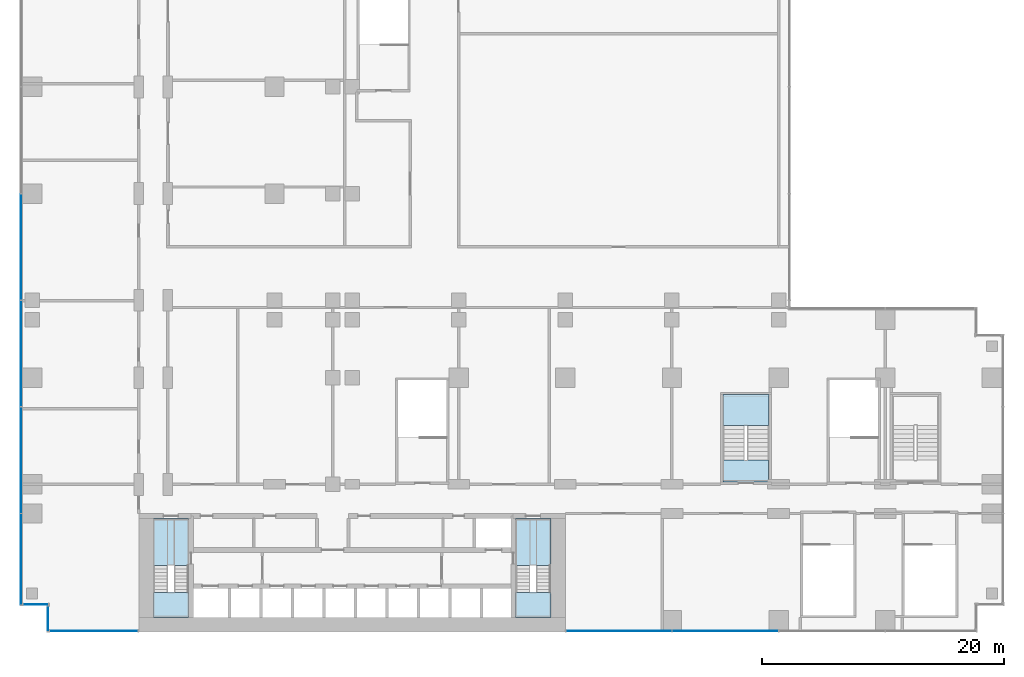
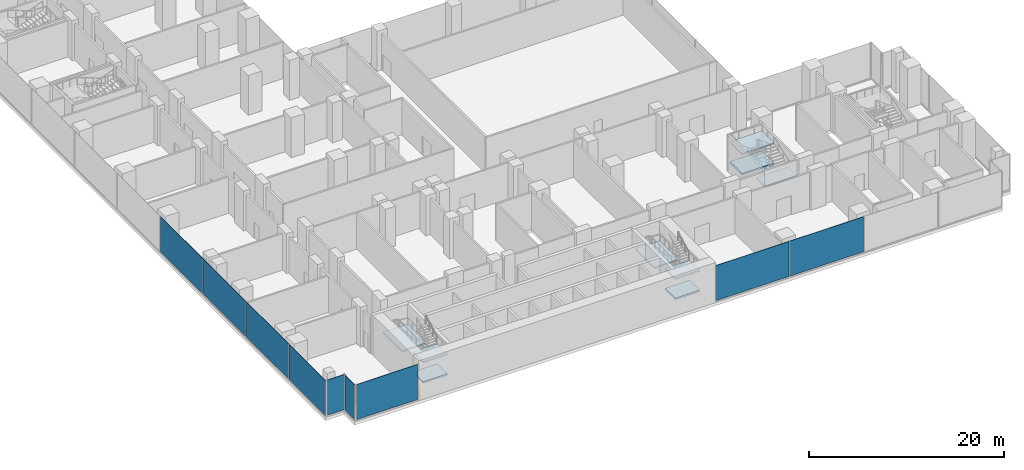
# One storey, part 12 of 27: 9 plates, 9 slabs, 8 elements without a shape of their own.
"""IFC4 building model written with IfcOpenShell, lengths in metres."""

import ifcopenshell
import ifcopenshell.guid

model = None  # the IFC model being written
_history = None  # IfcOwnerHistory: only IFC2X3 demands one
_inside = {}  # id of a spatial element -> (the spatial element, [elements in it])
_under = {}  # id of a project, library or spatial element -> (it, [spatial elements below it])
_declared = {}  # id of a project -> (the project, [libraries it declares])
_typed = {}  # id of a type object -> (the type object, [elements of that type])
_made_of = {}  # id of a material, layer set ... -> (it, [elements and type objects made of it])


def new_model(schema):
    """Start an empty IFC model of exactly this schema.

    Asked for "IFC4X3", IfcOpenShell would pick the latest addendum, in which some entities
    have other attributes; the version numbers below select the first issue.
    IFC2X3 requires an IfcOwnerHistory on every rooted entity: one is made here for all.
    """
    global model, _history
    if schema == "IFC4X3":
        model = ifcopenshell.file(schema_version=(4, 3, 0, 0))
    else:
        model = ifcopenshell.file(schema=schema)
    _inside.clear()
    _under.clear()
    _declared.clear()
    _typed.clear()
    _made_of.clear()
    _history = None
    if model.schema == "IFC2X3":
        org = make("IfcOrganization", Name="unknown")
        user = make(
            "IfcPersonAndOrganization",
            ThePerson=make("IfcPerson", FamilyName="unknown"),
            TheOrganization=org,
        )
        app = make(
            "IfcApplication",
            ApplicationDeveloper=org,
            Version="unknown",
            ApplicationFullName="unknown",
            ApplicationIdentifier="unknown",
        )
        _history = make(
            "IfcOwnerHistory",
            OwningUser=user,
            OwningApplication=app,
            ChangeAction="ADDED",
            CreationDate=0,
        )
    return model


def make(cls, **values):
    """One entity of the class cls with the attributes given. An attribute that is None is left unset."""
    return model.create_entity(
        cls, **{name: value for name, value in values.items() if value is not None}
    )


def rooted(cls, **values):
    """An entity with a GlobalId (a new one), such as an element, a storey or a relation."""
    return make(cls, GlobalId=ifcopenshell.guid.new(), OwnerHistory=_history, **values)


def si_unit(unit_type, name, prefix=None):
    """IfcSIUnit, for example si_unit("LENGTHUNIT", "METRE", prefix="MILLI")."""
    return make("IfcSIUnit", UnitType=unit_type, Prefix=prefix, Name=name)


def assignment(units):
    """IfcUnitAssignment: the units of a project."""
    return None if units is None else make("IfcUnitAssignment", Units=units)


def point(xyz):
    """IfcCartesianPoint."""
    return None if xyz is None else make("IfcCartesianPoint", Coordinates=xyz)


def direction(xyz):
    """IfcDirection."""
    return None if xyz is None else make("IfcDirection", DirectionRatios=xyz)


def frame(location, z_axis=None, x_axis=None):
    """IfcAxis2Placement3D, a coordinate frame: its origin and axes. An axis left out is left unset."""
    return make(
        "IfcAxis2Placement3D",
        Location=point(location),
        Axis=direction(z_axis),
        RefDirection=direction(x_axis),
    )


def frame_2d(location, x_axis=None):
    """IfcAxis2Placement2D, a coordinate frame in the plane: its origin and x axis."""
    return make(
        "IfcAxis2Placement2D", Location=point(location), RefDirection=direction(x_axis)
    )


def origin():
    """The frame at (0, 0, 0) with its axes left unset."""
    return frame((0.0, 0.0, 0.0))


def origin_2d():
    """The frame at (0, 0) in the plane with its x axis left unset."""
    return frame_2d((0.0, 0.0))


def place(relative_to, where):
    """IfcLocalPlacement: puts the frame where relative to a parent placement (None: the world)."""
    return make(
        "IfcLocalPlacement", PlacementRelTo=relative_to, RelativePlacement=where
    )


def context(
    kind, dimensions, precision=None, world=None, true_north=None, identifier=None
):
    """IfcGeometricRepresentationContext, for example the 3D "Model" context."""
    return make(
        "IfcGeometricRepresentationContext",
        ContextIdentifier=identifier,
        ContextType=kind,
        CoordinateSpaceDimension=dimensions,
        Precision=precision,
        WorldCoordinateSystem=world,
        TrueNorth=true_north,
    )


def subcontext(parent, identifier, kind, view, scale=None):
    """IfcGeometricRepresentationSubContext, for example "Body" below "Model"."""
    return make(
        "IfcGeometricRepresentationSubContext",
        ContextIdentifier=identifier,
        ContextType=kind,
        ParentContext=parent,
        TargetScale=scale,
        TargetView=view,
    )


def project(units=None, contexts=None):
    """IfcProject with its units and contexts."""
    return rooted(
        "IfcProject",
        Name="project",
        RepresentationContexts=contexts,
        UnitsInContext=assignment(units),
    )


def spatial(cls, under=None, at=None, **own):
    """A site, building, storey or space (cls), placed at a placement, below another one or the project."""
    s = rooted(cls, ObjectPlacement=at, **own)
    if under is not None:
        _under.setdefault(under.id(), (under, []))[1].append(s)
    return s


def polyline(points):
    """IfcPolyline through the points."""
    return make("IfcPolyline", Points=[point(p) for p in points])


def profile(cls, at=None, kind="AREA", **sizes):
    """A parametric profile (cls). Its sizes go by their IFC names, for example OverallWidth=200.0."""
    return make(cls, ProfileType=kind, Position=at, **sizes)


def rectangle(**sizes):
    """IfcRectangleProfileDef."""
    return profile("IfcRectangleProfileDef", **sizes)


def outline(outer, holes=None, kind="AREA"):
    """IfcArbitraryClosedProfileDef: a profile drawn as a closed curve; with holes, ...WithVoids."""
    if holes is None:
        return make("IfcArbitraryClosedProfileDef", ProfileType=kind, OuterCurve=outer)
    return make(
        "IfcArbitraryProfileDefWithVoids",
        ProfileType=kind,
        OuterCurve=outer,
        InnerCurves=holes,
    )


def extrude(swept, where, along, depth):
    """IfcExtrudedAreaSolid: the profile swept, set in the frame where, extruded along a direction by depth."""
    return make(
        "IfcExtrudedAreaSolid",
        SweptArea=swept,
        Position=where,
        ExtrudedDirection=direction(along),
        Depth=depth,
    )


def shape(context_of_items, identifier, shape_type, items):
    """IfcShapeRepresentation: the items that make up one representation, for example the "Body"."""
    return make(
        "IfcShapeRepresentation",
        ContextOfItems=context_of_items,
        RepresentationIdentifier=identifier,
        RepresentationType=shape_type,
        Items=items,
    )


def source(mapping_origin, context_of_items, identifier, shape_type, items):
    """IfcRepresentationMap: a shape defined once, which mapped items show again and again."""
    return make(
        "IfcRepresentationMap",
        MappingOrigin=mapping_origin,
        MappedRepresentation=shape(context_of_items, identifier, shape_type, items),
    )


def transform(
    local_origin,
    x_axis=None,
    y_axis=None,
    z_axis=None,
    scale=None,
    scale2=None,
    scale3=None,
    uniform=True,
):
    """IfcCartesianTransformationOperator3D, or its non-uniform kind. x_axis, y_axis, z_axis: its Axis1, 2, 3."""
    if uniform:
        return make(
            "IfcCartesianTransformationOperator3D",
            Axis1=direction(x_axis),
            Axis2=direction(y_axis),
            LocalOrigin=point(local_origin),
            Scale=scale,
            Axis3=direction(z_axis),
        )
    return make(
        "IfcCartesianTransformationOperator3DnonUniform",
        Axis1=direction(x_axis),
        Axis2=direction(y_axis),
        LocalOrigin=point(local_origin),
        Scale=scale,
        Axis3=direction(z_axis),
        Scale2=scale2,
        Scale3=scale3,
    )


def mapped(mapping_source, mapping_target):
    """IfcMappedItem: shows the shape of a source again, moved by a transform."""
    return make(
        "IfcMappedItem", MappingSource=mapping_source, MappingTarget=mapping_target
    )


def material(Name=None, Category=None):
    """IfcMaterial."""
    return make("IfcMaterial", Name=Name, Category=Category)


def layer(
    of_material, thickness, ventilated=None, Name=None, Category=None, Priority=None
):
    """IfcMaterialLayer: one layer of a wall or slab, of a material (None: an air gap)."""
    return make(
        "IfcMaterialLayer",
        Material=of_material,
        LayerThickness=thickness,
        IsVentilated=ventilated,
        Name=Name,
        Category=Category,
        Priority=Priority,
    )


def layer_set(layers, Name=None):
    """IfcMaterialLayerSet."""
    return make("IfcMaterialLayerSet", MaterialLayers=layers, LayerSetName=Name)


def made_of(thing, what):
    """Note that an element or type object is made of a material, layer set ...; save() writes the relation."""
    if what is not None:
        _made_of.setdefault(what.id(), (what, []))[1].append(thing)
    return thing


def type_object(cls, material=None, **own):
    """A type object (cls), such as IfcWallType, which elements share."""
    return made_of(rooted(cls, **own), material)


def element(
    cls,
    number,
    at=None,
    inside=None,
    cuts=None,
    type_object=None,
    material=None,
    context=None,
    identifier="Body",
    shape_type=None,
    held_by="IfcProductDefinitionShape",
    body=None,
    shapes=None,
    **own,
):
    """One element of the class cls, such as IfcWall. Its Tag is "e" and its number.

    at: its placement. inside: the storey or other place that contains it. cuts: it is an
    opening in that element (IfcRelVoidsElement). A single representation is given by context,
    identifier, shape_type and body (its items); several are given by shapes. held_by: the class
    of the entity that holds the representations. save() writes the other relations.
    """
    e = rooted(cls, Tag="e%d" % number, ObjectPlacement=at, **own)
    if body is not None:
        shapes = [shape(context, identifier, shape_type, body)]
    if shapes is not None:
        e.Representation = make(held_by, Representations=shapes)
    if inside is not None:
        _inside.setdefault(inside.id(), (inside, []))[1].append(e)
    if cuts is not None:
        rooted(
            "IfcRelVoidsElement", RelatingBuildingElement=cuts, RelatedOpeningElement=e
        )
    if type_object is not None:
        _typed.setdefault(type_object.id(), (type_object, []))[1].append(e)
    return made_of(e, material)


def aggregate(whole, parts):
    """IfcRelAggregates: a whole, such as a stair, and the parts it consists of."""
    return rooted("IfcRelAggregates", RelatingObject=whole, RelatedObjects=parts)


def save(model, path):
    """Write the relations noted so far, then the file.

    IfcRelAggregates (storeys below a building ...), IfcRelContainedInSpatialStructure (elements
    in a storey), IfcRelDefinesByType, IfcRelAssociatesMaterial and IfcRelDeclares: one each for
    every whole, place, type object, material and project.
    """
    for whole, parts in _under.values():
        aggregate(whole, parts)
    for where, things in _inside.values():
        rooted(
            "IfcRelContainedInSpatialStructure",
            RelatedElements=things,
            RelatingStructure=where,
        )
    for kind, things in _typed.values():
        rooted("IfcRelDefinesByType", RelatedObjects=things, RelatingType=kind)
    for what, things in _made_of.values():
        rooted("IfcRelAssociatesMaterial", RelatedObjects=things, RelatingMaterial=what)
    for by, libraries in _declared.values():
        rooted("IfcRelDeclares", RelatingContext=by, RelatedDefinitions=libraries)
    model.write(path)


model = new_model("IFC4")

# Units and contexts
model_context = context("Model", 3, precision=1e-05, world=origin(), true_north=direction((0.0, 1.0)))
body_context = subcontext(model_context, "Body", "Model", "MODEL_VIEW")
ifc_project = project(units=[si_unit("LENGTHUNIT", "METRE"), si_unit("AREAUNIT", "SQUARE_METRE"), si_unit("VOLUMEUNIT", "CUBIC_METRE"), si_unit("PLANEANGLEUNIT", "RADIAN"), si_unit("MASSUNIT", "GRAM", prefix="KILO")], contexts=[model_context])

# Site, building, storey
site_placement = place(None, origin())
site = spatial("IfcSite", under=ifc_project, at=site_placement, CompositionType="ELEMENT")
building_placement = place(site_placement, origin())
building = spatial("IfcBuilding", under=site, at=building_placement, Name="Kemantara Hotel Tower", CompositionType="ELEMENT")
storey_placement = place(building_placement, frame((0.0, 0.0, 29.0)))
storey = spatial("IfcBuildingStorey", under=building, at=storey_placement, Name="L05", CompositionType="ELEMENT", Elevation=29.0)

# Stair, slabs
ifc_material_1 = material(Name="Concrete fc 40 MPa", Category="concrete")
stair_type_1 = type_object("IfcStairType", Name="Stair 1200 wide 36 risers of 139 x 280 mm", PredefinedType="HALF_TURN_STAIR", material=ifc_material_1)
stair_1_placement = place(storey_placement, origin())
stair_1 = element("IfcStair", 1, at=stair_1_placement, inside=storey, type_object=stair_type_1, Name="L05 Exit stair ST1", PredefinedType="HALF_TURN_STAIR")
ifc_layer_1 = layer(ifc_material_1, 0.199951171875)
ifc_layer_set_1 = layer_set([ifc_layer_1], Name="Concrete fc 40 MPa")
slab_type = type_object("IfcSlabType", Name="Stair landing 200 mm", PredefinedType="LANDING", material=ifc_layer_set_1)
slab_1_placement = place(storey_placement, frame((0.0, 0.0, 1.050048828125)))
slab_1 = element("IfcSlab", 2, at=slab_1_placement, type_object=slab_type, Name="ST1 landing 1", PredefinedType="LANDING", context=body_context, shape_type="SweptSolid", body=[
    extrude(outline(polyline([(11.0, 3.260009765625), (11.0, 1.199951171875), (13.89990234375, 1.199951171875), (13.89990234375, 3.260009765625), (11.0, 3.260009765625)])), origin(), (0.0, 0.0, 1.0), 0.199951171875),
])
slab_2_placement = place(storey_placement, frame((0.0, 0.0, 2.300048828125)))
slab_2 = element("IfcSlab", 3, at=slab_2_placement, type_object=slab_type, Name="ST1 landing 2", PredefinedType="LANDING", context=body_context, shape_type="SweptSolid", body=[
    extrude(outline(polyline([(11.0, 9.39990234375), (11.0, 5.5), (13.89990234375, 5.5), (13.89990234375, 9.39990234375), (11.0, 9.39990234375)])), origin(), (0.0, 0.0, 1.0), 0.199951171875),
])
slab_3_placement = place(storey_placement, frame((0.0, 0.0, 3.550048828125)))
slab_3 = element("IfcSlab", 4, at=slab_3_placement, type_object=slab_type, Name="ST1 landing 3", PredefinedType="LANDING", context=body_context, shape_type="SweptSolid", body=[
    extrude(outline(polyline([(11.0, 3.260009765625), (11.0, 1.199951171875), (13.89990234375, 1.199951171875), (13.89990234375, 3.260009765625), (11.0, 3.260009765625)])), origin(), (0.0, 0.0, 1.0), 0.199951171875),
])
aggregate(stair_1, [slab_1, slab_2, slab_3])

stair_2_placement = place(storey_placement, origin())
stair_2 = element("IfcStair", 5, at=stair_2_placement, inside=storey, type_object=stair_type_1, Name="L05 Exit stair ST2", PredefinedType="HALF_TURN_STAIR")
slab_4_placement = place(storey_placement, frame((0.0, 0.0, 1.050048828125)))
slab_4 = element("IfcSlab", 6, at=slab_4_placement, type_object=slab_type, Name="ST2 landing 1", PredefinedType="LANDING", context=body_context, shape_type="SweptSolid", body=[
    extrude(outline(polyline([(40.89990234375, 3.260009765625), (40.89990234375, 1.199951171875), (43.800048828125, 1.199951171875), (43.800048828125, 3.260009765625), (40.89990234375, 3.260009765625)])), origin(), (0.0, 0.0, 1.0), 0.199951171875),
])
slab_5_placement = place(storey_placement, frame((0.0, 0.0, 2.300048828125)))
slab_5 = element("IfcSlab", 7, at=slab_5_placement, type_object=slab_type, Name="ST2 landing 2", PredefinedType="LANDING", context=body_context, shape_type="SweptSolid", body=[
    extrude(outline(polyline([(40.89990234375, 9.39990234375), (40.89990234375, 5.5), (43.800048828125, 5.5), (43.800048828125, 9.39990234375), (40.89990234375, 9.39990234375)])), origin(), (0.0, 0.0, 1.0), 0.199951171875),
])
slab_6_placement = place(storey_placement, frame((0.0, 0.0, 3.550048828125)))
slab_6 = element("IfcSlab", 8, at=slab_6_placement, type_object=slab_type, Name="ST2 landing 3", PredefinedType="LANDING", context=body_context, shape_type="SweptSolid", body=[
    extrude(outline(polyline([(40.89990234375, 3.260009765625), (40.89990234375, 1.199951171875), (43.800048828125, 1.199951171875), (43.800048828125, 3.260009765625), (40.89990234375, 3.260009765625)])), origin(), (0.0, 0.0, 1.0), 0.199951171875),
])
aggregate(stair_2, [slab_4, slab_5, slab_6])

stair_type_2 = type_object("IfcStairType", Name="Stair 1800 wide 36 risers of 139 x 360 mm", PredefinedType="HALF_TURN_STAIR", material=ifc_material_1)
stair_3_placement = place(storey_placement, origin())
stair_3 = element("IfcStair", 9, at=stair_3_placement, inside=storey, type_object=stair_type_2, Name="L05 Exit stair ST3", PredefinedType="HALF_TURN_STAIR")
slab_7_placement = place(storey_placement, frame((0.0, 0.0, 1.050048828125)))
slab_7 = element("IfcSlab", 10, at=slab_7_placement, type_object=slab_type, Name="ST3 landing 1", PredefinedType="LANDING", context=body_context, shape_type="SweptSolid", body=[
    extrude(outline(polyline([(61.800048828125, 17.080078125), (61.800048828125, 19.60009765625), (58.0, 19.60009765625), (58.0, 17.080078125), (61.800048828125, 17.080078125)])), origin(), (0.0, 0.0, 1.0), 0.199951171875),
])
slab_8_placement = place(storey_placement, frame((0.0, 0.0, 2.300048828125)))
slab_8 = element("IfcSlab", 11, at=slab_8_placement, type_object=slab_type, Name="ST3 landing 2", PredefinedType="LANDING", context=body_context, shape_type="SweptSolid", body=[
    extrude(outline(polyline([(61.800048828125, 12.39990234375), (61.800048828125, 14.199951171875), (58.0, 14.199951171875), (58.0, 12.39990234375), (61.800048828125, 12.39990234375)])), origin(), (0.0, 0.0, 1.0), 0.199951171875),
])
slab_9_placement = place(storey_placement, frame((0.0, 0.0, 3.550048828125)))
slab_9 = element("IfcSlab", 12, at=slab_9_placement, type_object=slab_type, Name="ST3 landing 3", PredefinedType="LANDING", context=body_context, shape_type="SweptSolid", body=[
    extrude(outline(polyline([(61.800048828125, 17.080078125), (61.800048828125, 19.60009765625), (58.0, 19.60009765625), (58.0, 17.080078125), (61.800048828125, 17.080078125)])), origin(), (0.0, 0.0, 1.0), 0.199951171875),
])
aggregate(stair_3, [slab_7, slab_8, slab_9])

# Curtain wall, plate
ifc_material_2 = material(Name="Laminated tinted insulated glass 44 mm", Category="glass")
curtain_wall_type = type_object("IfcCurtainWallType", Name="PODIUM GLASS CURTAIN WALL", PredefinedType="USERDEFINED", material=ifc_material_2)
curtain_wall_1_placement = place(storey_placement, origin())
curtain_wall_1 = element("IfcCurtainWall", 13, at=curtain_wall_1_placement, inside=storey, type_object=curtain_wall_type, Name="CW1 L05 POD-R01-1", ObjectType="PODIUM GLASS CURTAIN WALL", PredefinedType="USERDEFINED")
ifc_layer_2 = layer(ifc_material_2, 0.0439453125)
ifc_layer_set_2 = layer_set([ifc_layer_2], Name="Laminated tinted insulated glass 44 mm")
plate_type = type_object("IfcPlateType", Name="PODIUM GLASS CURTAIN WALL PANEL", PredefinedType="CURTAIN_PANEL", material=ifc_layer_set_2)
shared_shape_1 = source(origin(), body_context, "Body", "SweptSolid", [
    extrude(rectangle(XDim=7.25, YDim=0.0439453125, at=origin_2d()), origin(), (0.0, 0.0, 1.0), 4.39990234375),
])
plate_1_placement = place(storey_placement, frame((6.10009765625, 0.10009765625, 0.150146484375), z_axis=(0.0, 0.0, 1.0), x_axis=(1.0, 0.0, 0.0)))
plate_1 = element("IfcPlate", 14, at=plate_1_placement, type_object=plate_type, Name="CW1 glass panel POD-R01-1.1", PredefinedType="CURTAIN_PANEL", context=body_context, shape_type="MappedRepresentation", body=[
    mapped(shared_shape_1, transform((0.0, 0.0, 0.0))),
])
aggregate(curtain_wall_1, [plate_1])

# Curtain wall, plates
curtain_wall_2_placement = place(storey_placement, origin())
curtain_wall_2 = element("IfcCurtainWall", 15, at=curtain_wall_2_placement, inside=storey, type_object=curtain_wall_type, Name="CW1 L05 POD-R01-2", ObjectType="PODIUM GLASS CURTAIN WALL", PredefinedType="USERDEFINED")
shared_shape_2 = source(origin(), body_context, "Body", "SweptSolid", [
    extrude(rectangle(XDim=8.6875, YDim=0.0439453125, at=origin_2d()), origin(), (0.0, 0.0, 1.0), 4.39990234375),
])
plate_2_placement = place(storey_placement, frame((49.418701171875, 0.10009765625, 0.150146484375), z_axis=(0.0, 0.0, 1.0), x_axis=(1.0, 0.0, 0.0)))
plate_2 = element("IfcPlate", 16, at=plate_2_placement, type_object=plate_type, Name="CW1 glass panel POD-R01-2.1", PredefinedType="CURTAIN_PANEL", context=body_context, shape_type="MappedRepresentation", body=[
    mapped(shared_shape_2, transform((0.0, 0.0, 0.0))),
])
shared_shape_3 = source(origin(), body_context, "Body", "SweptSolid", [
    extrude(rectangle(XDim=8.72509765625, YDim=0.0439453125, at=origin_2d()), origin(), (0.0, 0.0, 1.0), 4.39990234375),
])
plate_3_placement = place(storey_placement, frame((58.199951171875, 0.10009765625, 0.150146484375), z_axis=(0.0, 0.0, 1.0), x_axis=(1.0, 0.0, 0.0)))
plate_3 = element("IfcPlate", 17, at=plate_3_placement, type_object=plate_type, Name="CW1 glass panel POD-R01-2.2", PredefinedType="CURTAIN_PANEL", context=body_context, shape_type="MappedRepresentation", body=[
    mapped(shared_shape_3, transform((0.0, 0.0, 0.0))),
])
aggregate(curtain_wall_2, [plate_2, plate_3])

curtain_wall_3_placement = place(storey_placement, origin())
curtain_wall_3 = element("IfcCurtainWall", 18, at=curtain_wall_3_placement, inside=storey, type_object=curtain_wall_type, Name="CW1 L05 POD-R16-1", ObjectType="PODIUM GLASS CURTAIN WALL", PredefinedType="USERDEFINED")
plate_4_placement = place(storey_placement, frame((0.10009765625, 31.800048828125, 0.150146484375), z_axis=(0.0, 0.0, 1.0), x_axis=(0.0, -1.0, 0.0)))
plate_4 = element("IfcPlate", 19, at=plate_4_placement, type_object=plate_type, Name="CW1 glass panel POD-R16-1.6", PredefinedType="CURTAIN_PANEL", context=body_context, shape_type="MappedRepresentation", body=[
    mapped(shared_shape_3, transform((0.0, 0.0, 0.0))),
])
plate_5_placement = place(storey_placement, frame((0.10009765625, 23.0, 0.150146484375), z_axis=(0.0, 0.0, 1.0), x_axis=(0.0, -1.0, 0.0)))
plate_5 = element("IfcPlate", 20, at=plate_5_placement, type_object=plate_type, Name="CW1 glass panel POD-R16-1.7", PredefinedType="CURTAIN_PANEL", context=body_context, shape_type="MappedRepresentation", body=[
    mapped(shared_shape_3, transform((0.0, 0.0, 0.0))),
])
plate_6_placement = place(storey_placement, frame((0.10009765625, 14.199951171875, 0.150146484375), z_axis=(0.0, 0.0, 1.0), x_axis=(0.0, -1.0, 0.0)))
plate_6 = element("IfcPlate", 21, at=plate_6_placement, type_object=plate_type, Name="CW1 glass panel POD-R16-1.8", PredefinedType="CURTAIN_PANEL", context=body_context, shape_type="MappedRepresentation", body=[
    mapped(shared_shape_3, transform((0.0, 0.0, 0.0))),
])
shared_shape_4 = source(origin(), body_context, "Body", "SweptSolid", [
    extrude(rectangle(XDim=7.487548828125, YDim=0.0439453125, at=origin_2d()), origin(), (0.0, 0.0, 1.0), 4.39990234375),
])
plate_7_placement = place(storey_placement, frame((0.10009765625, 6.018798828125, 0.150146484375), z_axis=(0.0, 0.0, 1.0), x_axis=(0.0, -1.0, 0.0)))
plate_7 = element("IfcPlate", 22, at=plate_7_placement, type_object=plate_type, Name="CW1 glass panel POD-R16-1.9", PredefinedType="CURTAIN_PANEL", context=body_context, shape_type="MappedRepresentation", body=[
    mapped(shared_shape_4, transform((0.0, 0.0, 0.0))),
])
aggregate(curtain_wall_3, [plate_4, plate_5, plate_6, plate_7])

# Curtain wall, plate
curtain_wall_4_placement = place(storey_placement, origin())
curtain_wall_4 = element("IfcCurtainWall", 23, at=curtain_wall_4_placement, inside=storey, type_object=curtain_wall_type, Name="CW1 L05 POD-R00-1", ObjectType="PODIUM GLASS CURTAIN WALL", PredefinedType="USERDEFINED")
shared_shape_5 = source(origin(), body_context, "Body", "SweptSolid", [
    extrude(rectangle(XDim=2.050048828125, YDim=0.0439453125, at=origin_2d()), origin(), (0.0, 0.0, 1.0), 4.39990234375),
])
plate_8_placement = place(storey_placement, frame((2.300048828125, 1.10009765625, 0.150146484375), z_axis=(0.0, 0.0, 1.0), x_axis=(0.0, -1.0, 0.0)))
plate_8 = element("IfcPlate", 24, at=plate_8_placement, type_object=plate_type, Name="CW1 glass panel POD-R00-1.1", PredefinedType="CURTAIN_PANEL", context=body_context, shape_type="MappedRepresentation", body=[
    mapped(shared_shape_5, transform((0.0, 0.0, 0.0))),
])
aggregate(curtain_wall_4, [plate_8])

curtain_wall_5_placement = place(storey_placement, origin())
curtain_wall_5 = element("IfcCurtainWall", 25, at=curtain_wall_5_placement, inside=storey, type_object=curtain_wall_type, Name="CW1 L05 POD-R17-1", ObjectType="PODIUM GLASS CURTAIN WALL", PredefinedType="USERDEFINED")
plate_9_placement = place(storey_placement, frame((1.300048828125, 2.300048828125, 0.150146484375), z_axis=(0.0, 0.0, 1.0), x_axis=(1.0, 0.0, 0.0)))
plate_9 = element("IfcPlate", 26, at=plate_9_placement, type_object=plate_type, Name="CW1 glass panel POD-R17-1.1", PredefinedType="CURTAIN_PANEL", context=body_context, shape_type="MappedRepresentation", body=[
    mapped(shared_shape_5, transform((0.0, 0.0, 0.0))),
])
aggregate(curtain_wall_5, [plate_9])

save(model, "model.ifc")
